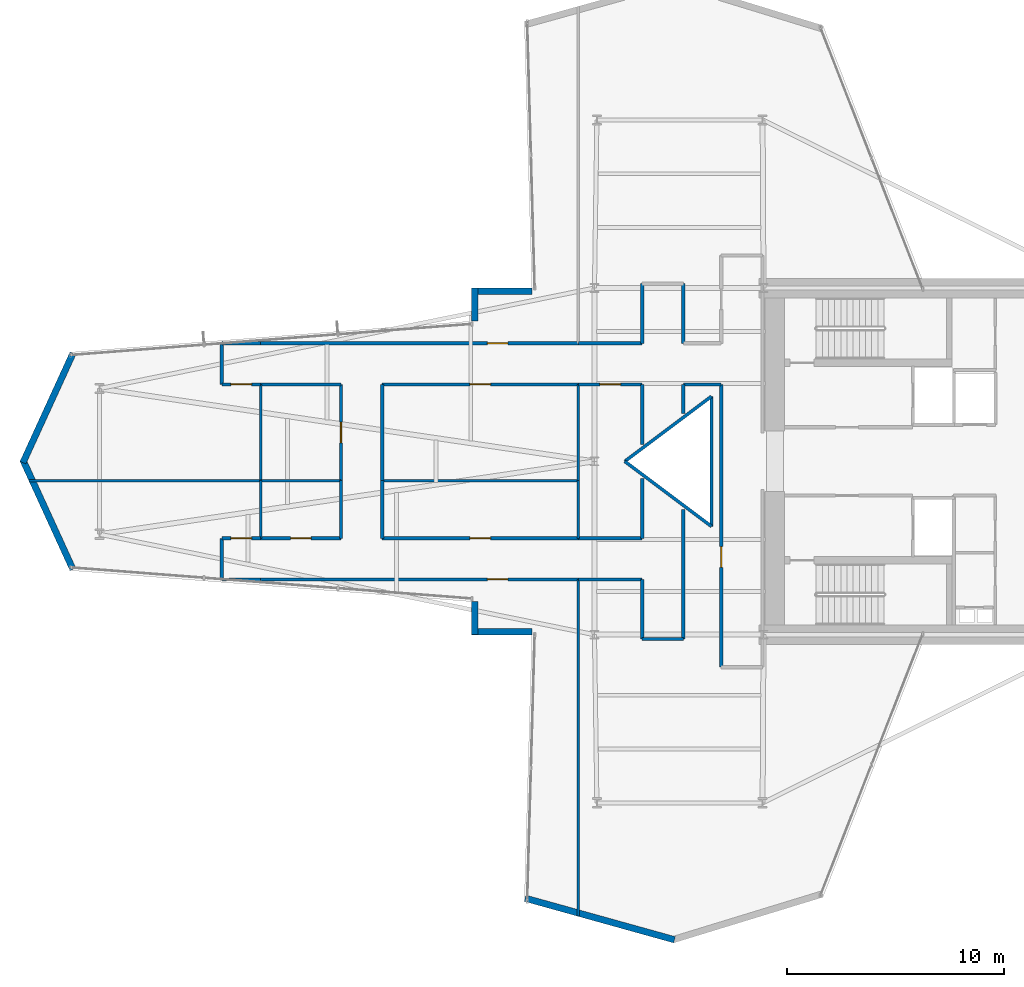
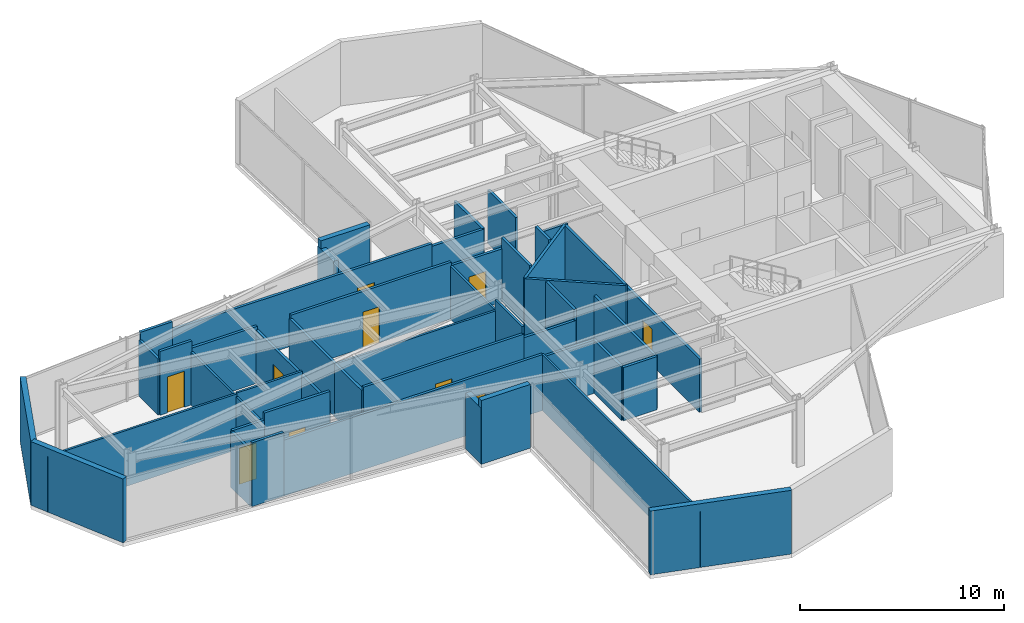
# One storey, part 27 of 30: 48 walls, 10 doors, 10 openings.
"""IFC4 building model written with IfcOpenShell, lengths in metres."""

from ifc_helpers import new_model, si_unit, direction, frame, frame_2d, origin, place, context, subcontext, project, spatial, rectangle, extrude, material, layer, layer_set, type_object, element, fill, save


model = new_model("IFC4")

# Units and contexts
model_context = context("Model", 3, precision=1e-05, world=origin(), true_north=direction((0.0, 1.0)))
body_context = subcontext(model_context, "Body", "Model", "MODEL_VIEW")
ifc_project = project(units=[si_unit("LENGTHUNIT", "METRE"), si_unit("AREAUNIT", "SQUARE_METRE"), si_unit("VOLUMEUNIT", "CUBIC_METRE"), si_unit("PLANEANGLEUNIT", "RADIAN"), si_unit("MASSUNIT", "GRAM", prefix="KILO")], contexts=[model_context])

# Site, building, storey
site_placement = place(None, origin())
site = spatial("IfcSite", under=ifc_project, at=site_placement, CompositionType="ELEMENT")
building_placement = place(site_placement, origin())
building = spatial("IfcBuilding", under=site, at=building_placement, Name="Veymaron Broadcast Tower", CompositionType="ELEMENT")
storey_placement = place(building_placement, frame((0.0, 0.0, 49.949951171875)))
storey = spatial("IfcBuildingStorey", under=building, at=storey_placement, Name="L10", CompositionType="ELEMENT", Elevation=49.949951171875)

# Walls
ifc_material_1 = material(Name="Precast concrete C40/50 with mineral-wool insulation", Category="concrete")
ifc_layer_1 = layer(ifc_material_1, 0.300048828125)
ifc_layer_set_1 = layer_set([ifc_layer_1], Name="Precast concrete C40/50 with mineral-wool insulation")
wall_type_1 = type_object("IfcWallType", Name="WALL-EXT-300", PredefinedType="STANDARD", material=ifc_layer_set_1)
wall_1_placement = place(storey_placement, frame((28.305419921875, 31.860107421875, 0.0), z_axis=(0.0, 0.0, 1.0), x_axis=(-1.0, 0.0, 0.0)))
element("IfcWall", 1, at=wall_1_placement, inside=storey, type_object=wall_type_1, Name="L10 notched corner facade pier 9-1", PredefinedType="STANDARD", context=body_context, shape_type="SweptSolid", body=[
    extrude(rectangle(XDim=2.77734375, YDim=0.300048828125, at=frame_2d((1.388671875, 0.0))), origin(), (0.0, 0.0, 1.0), 3.81005859375),
])
wall_2_placement = place(storey_placement, frame((25.66796875, 32.0, 0.0), z_axis=(0.0, 0.0, 1.0), x_axis=(0.0, -1.0, 0.0)))
element("IfcWall", 2, at=wall_2_placement, inside=storey, type_object=wall_type_1, Name="L10 notched corner facade pier 10-1", PredefinedType="STANDARD", context=body_context, shape_type="SweptSolid", body=[
    extrude(rectangle(XDim=1.52392578125, YDim=0.300048828125, at=frame_2d((0.761962890625, 0.0))), origin(), (0.0, 0.0, 1.0), 3.338134765625),
])
for number, where, z_axis, x_axis, name in (
    (3, (7.127197265625, 28.9814453125, 0.0), (0.0, 0.0, 1.0), (-0.415783708404, -0.909463527485, 0.0), "L10 notched corner facade pier 12-1"),
    (4, (4.8232421875, 24.05810546875, 0.0), (0.0, 0.0, 1.0), (0.415783708404, -0.909463527485, 0.0), "L10 notched corner facade pier 13-1"),
):
    element("IfcWall", number, at=place(storey_placement, frame(where, z_axis=z_axis, x_axis=x_axis)), inside=storey, type_object=wall_type_1, Name=name, PredefinedType="STANDARD", context=body_context, shape_type="SweptSolid", body=[
        extrude(rectangle(XDim=5.541259765625, YDim=0.300048828125, at=frame_2d((2.7705078125, 0.0))), origin(), (0.0, 0.0, 1.0), 3.81005859375),
    ])
wall_3_placement = place(storey_placement, frame((25.66796875, 17.52392578125, 0.0), z_axis=(0.0, 0.0, 1.0), x_axis=(0.0, -1.0, 0.0)))
element("IfcWall", 5, at=wall_3_placement, inside=storey, type_object=wall_type_1, Name="L10 notched corner facade pier 15-1", PredefinedType="STANDARD", context=body_context, shape_type="SweptSolid", body=[
    extrude(rectangle(XDim=1.52392578125, YDim=0.300048828125, at=frame_2d((0.761962890625, 0.0))), origin(), (0.0, 0.0, 1.0), 3.338134765625),
])
wall_4_placement = place(storey_placement, frame((25.528076171875, 16.139892578125, 0.0), z_axis=(0.0, 0.0, 1.0), x_axis=(1.0, 0.0, 0.0)))
element("IfcWall", 6, at=wall_4_placement, inside=storey, type_object=wall_type_1, Name="L10 notched corner facade pier 16-1", PredefinedType="STANDARD", context=body_context, shape_type="SweptSolid", body=[
    extrude(rectangle(XDim=2.77734375, YDim=0.300048828125, at=frame_2d((1.388671875, 0.0))), origin(), (0.0, 0.0, 1.0), 3.81005859375),
])
wall_5_placement = place(storey_placement, frame((27.9970703125, 3.8388671875, 0.0), z_axis=(0.0, 0.0, 1.0), x_axis=(0.963365312104, -0.268192608836, 0.0)))
element("IfcWall", 7, at=wall_5_placement, inside=storey, type_object=wall_type_1, Name="L10 notched corner facade pier 18-1", PredefinedType="STANDARD", context=body_context, shape_type="SweptSolid", body=[
    extrude(rectangle(XDim=7.15869140625, YDim=0.300048828125, at=frame_2d((3.579345703125, 0.0))), origin(), (0.0, 0.0, 1.0), 3.81005859375),
])

# Wall, opening, door
ifc_material_2 = material(Name="Gypsum fireboard and steel stud framing", Category="steel")
ifc_layer_2 = layer(ifc_material_2, 0.14990234375)
ifc_layer_set_2 = layer_set([ifc_layer_2], Name="Gypsum fireboard and steel stud framing")
wall_type_2 = type_object("IfcWallType", Name="WALL-FIRE-150", PredefinedType="PARTITIONING", material=ifc_layer_set_2)
wall_6_placement = place(storey_placement, frame((37.050048828125, 14.5, 0.0), z_axis=(0.0, 0.0, 1.0), x_axis=(0.0, 1.0, 0.0)))
wall_6 = element("IfcWall", 8, at=wall_6_placement, inside=storey, type_object=wall_type_2, Name="L10 partition IW-L10-P01", PredefinedType="PARTITIONING", context=body_context, shape_type="SweptSolid", body=[
    extrude(rectangle(XDim=13.050048828125, YDim=0.14990234375, at=frame_2d((6.52490234375, 0.0))), origin(), (0.0, 0.0, 1.0), 3.18115234375),
])
opening_1_placement = place(wall_6_placement, frame((4.610107421875, 0.0, 0.0)))
opening_1 = element("IfcOpeningElement", 9, at=opening_1_placement, cuts=wall_6, Name="Opening ID-RM1", PredefinedType="OPENING", context=body_context, shape_type="SweptSolid", body=[
    extrude(rectangle(XDim=0.949951171875, YDim=2.14990234375, at=frame_2d((0.47509765625, 1.074951171875))), frame((0.0, 0.0849609375, 0.0), z_axis=(0.0, -1.0, 0.0), x_axis=(1.0, 0.0, 0.0)), (0.0, 0.0, 1.0), 0.169921875),
])
ifc_material_3 = material(Name="Acoustic solid-core European oak veneer timber", Category="wood")
door_type = type_object("IfcDoorType", Name="DOOR-INT-950", OperationType="NOTDEFINED", PredefinedType="DOOR", material=ifc_material_3)
door_1_placement = place(opening_1_placement, frame((0.949951171875, 0.0, 0.0), z_axis=(0.0, 0.0, 1.0), x_axis=(-1.0, 0.0, 0.0)))
door_1 = element("IfcDoor", 10, at=door_1_placement, inside=storey, type_object=door_type, Name="L10 door DR-L10-P01", OperationType="SINGLE_SWING_RIGHT", OverallHeight=2.14990234375, OverallWidth=0.949951171875, PredefinedType="DOOR", context=body_context, shape_type="SweptSolid", body=[
    extrude(rectangle(XDim=0.949951171875, YDim=2.14990234375, at=frame_2d((0.47509765625, 1.074951171875))), frame((0.0, 0.02490234375, 0.0), z_axis=(0.0, -1.0, 0.0), x_axis=(1.0, 0.0, 0.0)), (0.0, 0.0, 1.0), 0.050048828125),
])
fill(opening_1, door_1)

wall_7_placement = place(storey_placement, frame((15.7939453125, 18.550048828125, 0.0), z_axis=(0.0, 0.0, 1.0), x_axis=(1.0, 0.0, 0.0)))
wall_7 = element("IfcWall", 11, at=wall_7_placement, inside=storey, type_object=wall_type_2, Name="L10 partition IW-L10-P10", PredefinedType="PARTITIONING", context=body_context, shape_type="SweptSolid", body=[
    extrude(rectangle(XDim=14.6650390625, YDim=0.14990234375, at=frame_2d((7.33251953125, 0.0))), origin(), (0.0, 0.0, 1.0), 3.338134765625),
])
opening_2_placement = place(wall_7_placement, frame((10.45751953125, 0.0, 0.0)))
opening_2 = element("IfcOpeningElement", 12, at=opening_2_placement, cuts=wall_7, Name="Opening ID-RM1", PredefinedType="OPENING", context=body_context, shape_type="SweptSolid", body=[
    extrude(rectangle(XDim=0.949951171875, YDim=2.14990234375, at=frame_2d((0.47509765625, 1.074951171875))), frame((0.0, 0.0849609375, 0.0), z_axis=(0.0, -1.0, 0.0), x_axis=(1.0, 0.0, 0.0)), (0.0, 0.0, 1.0), 0.169921875),
])
door_2_placement = place(opening_2_placement, frame((0.949951171875, 0.0, 0.0), z_axis=(0.0, 0.0, 1.0), x_axis=(-1.0, 0.0, 0.0)))
door_2 = element("IfcDoor", 13, at=door_2_placement, inside=storey, type_object=door_type, Name="L10 door DR-L10-P10", OperationType="SINGLE_SWING_LEFT", OverallHeight=2.14990234375, OverallWidth=0.949951171875, PredefinedType="DOOR", context=body_context, shape_type="SweptSolid", body=[
    extrude(rectangle(XDim=0.949951171875, YDim=2.14990234375, at=frame_2d((0.47509765625, 1.074951171875))), frame((0.0, 0.02490234375, 0.0), z_axis=(0.0, -1.0, 0.0), x_axis=(1.0, 0.0, 0.0)), (0.0, 0.0, 1.0), 0.050048828125),
])
fill(opening_2, door_2)

wall_8_placement = place(storey_placement, frame((14.0, 20.449951171875, 0.0), z_axis=(0.0, 0.0, 1.0), x_axis=(1.0, 0.0, 0.0)))
wall_8 = element("IfcWall", 14, at=wall_8_placement, inside=storey, type_object=wall_type_2, Name="L10 partition IW-L10-P13", PredefinedType="PARTITIONING", context=body_context, shape_type="SweptSolid", body=[
    extrude(rectangle(XDim=1.7939453125, YDim=0.14990234375, at=frame_2d((0.89697265625, 0.0))), origin(), (0.0, 0.0, 1.0), 3.39111328125),
])
opening_3_placement = place(wall_8_placement, frame((0.422119140625, 0.0, 0.0)))
opening_3 = element("IfcOpeningElement", 15, at=opening_3_placement, cuts=wall_8, Name="Opening ID-RM1", PredefinedType="OPENING", context=body_context, shape_type="SweptSolid", body=[
    extrude(rectangle(XDim=0.949951171875, YDim=2.14990234375, at=frame_2d((0.47509765625, 1.074951171875))), frame((0.0, 0.0849609375, 0.0), z_axis=(0.0, -1.0, 0.0), x_axis=(1.0, 0.0, 0.0)), (0.0, 0.0, 1.0), 0.169921875),
])
door_3_placement = place(opening_3_placement, origin())
door_3 = element("IfcDoor", 16, at=door_3_placement, inside=storey, type_object=door_type, Name="L10 door DR-L10-P13", OperationType="SINGLE_SWING_RIGHT", OverallHeight=2.14990234375, OverallWidth=0.949951171875, PredefinedType="DOOR", context=body_context, shape_type="SweptSolid", body=[
    extrude(rectangle(XDim=0.949951171875, YDim=2.14990234375, at=frame_2d((0.47509765625, 1.074951171875))), frame((0.0, 0.02490234375, 0.0), z_axis=(0.0, -1.0, 0.0), x_axis=(1.0, 0.0, 0.0)), (0.0, 0.0, 1.0), 0.050048828125),
])
fill(opening_3, door_3)

wall_9_placement = place(storey_placement, frame((15.7939453125, 20.449951171875, 0.0), z_axis=(0.0, 0.0, 1.0), x_axis=(1.0, 0.0, 0.0)))
wall_9 = element("IfcWall", 17, at=wall_9_placement, inside=storey, type_object=wall_type_2, Name="L10 partition IW-L10-P14", PredefinedType="PARTITIONING", context=body_context, shape_type="SweptSolid", body=[
    extrude(rectangle(XDim=3.7060546875, YDim=0.14990234375, at=frame_2d((1.85302734375, 0.0))), origin(), (0.0, 0.0, 1.0), 3.81005859375),
])
opening_4_placement = place(wall_9_placement, frame((1.3779296875, 0.0, 0.0)))
opening_4 = element("IfcOpeningElement", 18, at=opening_4_placement, cuts=wall_9, Name="Opening ID-RM1", PredefinedType="OPENING", context=body_context, shape_type="SweptSolid", body=[
    extrude(rectangle(XDim=0.949951171875, YDim=2.14990234375, at=frame_2d((0.47509765625, 1.074951171875))), frame((0.0, 0.0849609375, 0.0), z_axis=(0.0, -1.0, 0.0), x_axis=(1.0, 0.0, 0.0)), (0.0, 0.0, 1.0), 0.169921875),
])
door_4_placement = place(opening_4_placement, origin())
door_4 = element("IfcDoor", 19, at=door_4_placement, inside=storey, type_object=door_type, Name="L10 door DR-L10-P14", OperationType="SINGLE_SWING_LEFT", OverallHeight=2.14990234375, OverallWidth=0.949951171875, PredefinedType="DOOR", context=body_context, shape_type="SweptSolid", body=[
    extrude(rectangle(XDim=0.949951171875, YDim=2.14990234375, at=frame_2d((0.47509765625, 1.074951171875))), frame((0.0, 0.02490234375, 0.0), z_axis=(0.0, -1.0, 0.0), x_axis=(1.0, 0.0, 0.0)), (0.0, 0.0, 1.0), 0.050048828125),
])
fill(opening_4, door_4)

wall_10_placement = place(storey_placement, frame((21.39990234375, 20.449951171875, 0.0), z_axis=(0.0, 0.0, 1.0), x_axis=(1.0, 0.0, 0.0)))
wall_10 = element("IfcWall", 20, at=wall_10_placement, inside=storey, type_object=wall_type_2, Name="L10 partition IW-L10-P16", PredefinedType="PARTITIONING", context=body_context, shape_type="SweptSolid", body=[
    extrude(rectangle(XDim=9.05908203125, YDim=0.14990234375, at=frame_2d((4.529541015625, 0.0))), origin(), (0.0, 0.0, 1.0), 3.39111328125),
])
opening_5_placement = place(wall_10_placement, frame((4.054443359375, 0.0, 0.0)))
opening_5 = element("IfcOpeningElement", 21, at=opening_5_placement, cuts=wall_10, Name="Opening ID-RM1", PredefinedType="OPENING", context=body_context, shape_type="SweptSolid", body=[
    extrude(rectangle(XDim=0.949951171875, YDim=2.14990234375, at=frame_2d((0.47509765625, 1.074951171875))), frame((0.0, 0.0849609375, 0.0), z_axis=(0.0, -1.0, 0.0), x_axis=(1.0, 0.0, 0.0)), (0.0, 0.0, 1.0), 0.169921875),
])
door_5_placement = place(opening_5_placement, origin())
door_5 = element("IfcDoor", 22, at=door_5_placement, inside=storey, type_object=door_type, Name="L10 door DR-L10-P16", OperationType="SINGLE_SWING_LEFT", OverallHeight=2.14990234375, OverallWidth=0.949951171875, PredefinedType="DOOR", context=body_context, shape_type="SweptSolid", body=[
    extrude(rectangle(XDim=0.949951171875, YDim=2.14990234375, at=frame_2d((0.47509765625, 1.074951171875))), frame((0.0, 0.02490234375, 0.0), z_axis=(0.0, -1.0, 0.0), x_axis=(1.0, 0.0, 0.0)), (0.0, 0.0, 1.0), 0.050048828125),
])
fill(opening_5, door_5)

wall_11_placement = place(storey_placement, frame((30.458984375, 27.550048828125, 0.0), z_axis=(0.0, 0.0, 1.0), x_axis=(1.0, 0.0, 0.0)))
wall_11 = element("IfcWall", 23, at=wall_11_placement, inside=storey, type_object=wall_type_2, Name="L10 partition IW-L10-P18", PredefinedType="PARTITIONING", context=body_context, shape_type="SweptSolid", body=[
    extrude(rectangle(XDim=2.94091796875, YDim=0.14990234375, at=frame_2d((1.470458984375, 0.0))), origin(), (0.0, 0.0, 1.0), 3.18115234375),
])
opening_6_placement = place(wall_11_placement, frame((0.99560546875, 0.0, 0.0)))
opening_6 = element("IfcOpeningElement", 24, at=opening_6_placement, cuts=wall_11, Name="Opening ID-RM1", PredefinedType="OPENING", context=body_context, shape_type="SweptSolid", body=[
    extrude(rectangle(XDim=0.949951171875, YDim=2.14990234375, at=frame_2d((0.47509765625, 1.074951171875))), frame((0.0, 0.0849609375, 0.0), z_axis=(0.0, -1.0, 0.0), x_axis=(1.0, 0.0, 0.0)), (0.0, 0.0, 1.0), 0.169921875),
])
door_6_placement = place(opening_6_placement, frame((0.949951171875, 0.0, 0.0), z_axis=(0.0, 0.0, 1.0), x_axis=(-1.0, 0.0, 0.0)))
door_6 = element("IfcDoor", 25, at=door_6_placement, inside=storey, type_object=door_type, Name="L10 door DR-L10-P18", OperationType="SINGLE_SWING_LEFT", OverallHeight=2.14990234375, OverallWidth=0.949951171875, PredefinedType="DOOR", context=body_context, shape_type="SweptSolid", body=[
    extrude(rectangle(XDim=0.949951171875, YDim=2.14990234375, at=frame_2d((0.47509765625, 1.074951171875))), frame((0.0, 0.02490234375, 0.0), z_axis=(0.0, -1.0, 0.0), x_axis=(1.0, 0.0, 0.0)), (0.0, 0.0, 1.0), 0.050048828125),
])
fill(opening_6, door_6)

wall_12_placement = place(storey_placement, frame((19.5, 23.111083984375, 0.0), z_axis=(0.0, 0.0, 1.0), x_axis=(0.0, 1.0, 0.0)))
wall_12 = element("IfcWall", 26, at=wall_12_placement, inside=storey, type_object=wall_type_2, Name="L10 partition IW-L10-P22", PredefinedType="PARTITIONING", context=body_context, shape_type="SweptSolid", body=[
    extrude(rectangle(XDim=4.43896484375, YDim=0.14990234375, at=frame_2d((2.219482421875, 0.0))), origin(), (0.0, 0.0, 1.0), 3.18115234375),
])
opening_7_placement = place(wall_12_placement, frame((1.744384765625, 0.0, 0.0)))
opening_7 = element("IfcOpeningElement", 27, at=opening_7_placement, cuts=wall_12, Name="Opening ID-RM1", PredefinedType="OPENING", context=body_context, shape_type="SweptSolid", body=[
    extrude(rectangle(XDim=0.949951171875, YDim=2.14990234375, at=frame_2d((0.47509765625, 1.074951171875))), frame((0.0, 0.0849609375, 0.0), z_axis=(0.0, -1.0, 0.0), x_axis=(1.0, 0.0, 0.0)), (0.0, 0.0, 1.0), 0.169921875),
])
door_7_placement = place(opening_7_placement, origin())
door_7 = element("IfcDoor", 28, at=door_7_placement, inside=storey, type_object=door_type, Name="L10 door DR-L10-P22", OperationType="SINGLE_SWING_LEFT", OverallHeight=2.14990234375, OverallWidth=0.949951171875, PredefinedType="DOOR", context=body_context, shape_type="SweptSolid", body=[
    extrude(rectangle(XDim=0.949951171875, YDim=2.14990234375, at=frame_2d((0.47509765625, 1.074951171875))), frame((0.0, 0.02490234375, 0.0), z_axis=(0.0, -1.0, 0.0), x_axis=(1.0, 0.0, 0.0)), (0.0, 0.0, 1.0), 0.050048828125),
])
fill(opening_7, door_7)

wall_13_placement = place(storey_placement, frame((21.39990234375, 27.550048828125, 0.0), z_axis=(0.0, 0.0, 1.0), x_axis=(1.0, 0.0, 0.0)))
wall_13 = element("IfcWall", 29, at=wall_13_placement, inside=storey, type_object=wall_type_2, Name="L10 partition IW-L10-P24", PredefinedType="PARTITIONING", context=body_context, shape_type="SweptSolid", body=[
    extrude(rectangle(XDim=9.05908203125, YDim=0.14990234375, at=frame_2d((4.529541015625, 0.0))), origin(), (0.0, 0.0, 1.0), 3.39111328125),
])
opening_8_placement = place(wall_13_placement, frame((4.054443359375, 0.0, 0.0)))
opening_8 = element("IfcOpeningElement", 30, at=opening_8_placement, cuts=wall_13, Name="Opening ID-RM1", PredefinedType="OPENING", context=body_context, shape_type="SweptSolid", body=[
    extrude(rectangle(XDim=0.949951171875, YDim=2.14990234375, at=frame_2d((0.47509765625, 1.074951171875))), frame((0.0, 0.0849609375, 0.0), z_axis=(0.0, -1.0, 0.0), x_axis=(1.0, 0.0, 0.0)), (0.0, 0.0, 1.0), 0.169921875),
])
door_8_placement = place(opening_8_placement, frame((0.949951171875, 0.0, 0.0), z_axis=(0.0, 0.0, 1.0), x_axis=(-1.0, 0.0, 0.0)))
door_8 = element("IfcDoor", 31, at=door_8_placement, inside=storey, type_object=door_type, Name="L10 door DR-L10-P24", OperationType="SINGLE_SWING_LEFT", OverallHeight=2.14990234375, OverallWidth=0.949951171875, PredefinedType="DOOR", context=body_context, shape_type="SweptSolid", body=[
    extrude(rectangle(XDim=0.949951171875, YDim=2.14990234375, at=frame_2d((0.47509765625, 1.074951171875))), frame((0.0, 0.02490234375, 0.0), z_axis=(0.0, -1.0, 0.0), x_axis=(1.0, 0.0, 0.0)), (0.0, 0.0, 1.0), 0.050048828125),
])
fill(opening_8, door_8)

wall_14_placement = place(storey_placement, frame((14.0, 27.550048828125, 0.0), z_axis=(0.0, 0.0, 1.0), x_axis=(1.0, 0.0, 0.0)))
wall_14 = element("IfcWall", 32, at=wall_14_placement, inside=storey, type_object=wall_type_2, Name="L10 partition IW-L10-P27", PredefinedType="PARTITIONING", context=body_context, shape_type="SweptSolid", body=[
    extrude(rectangle(XDim=1.7939453125, YDim=0.14990234375, at=frame_2d((0.89697265625, 0.0))), origin(), (0.0, 0.0, 1.0), 3.81005859375),
])
opening_9_placement = place(wall_14_placement, frame((0.422119140625, 0.0, 0.0)))
opening_9 = element("IfcOpeningElement", 33, at=opening_9_placement, cuts=wall_14, Name="Opening ID-RM1", PredefinedType="OPENING", context=body_context, shape_type="SweptSolid", body=[
    extrude(rectangle(XDim=0.949951171875, YDim=2.14990234375, at=frame_2d((0.47509765625, 1.074951171875))), frame((0.0, 0.0849609375, 0.0), z_axis=(0.0, -1.0, 0.0), x_axis=(1.0, 0.0, 0.0)), (0.0, 0.0, 1.0), 0.169921875),
])
door_9_placement = place(opening_9_placement, frame((0.949951171875, 0.0, 0.0), z_axis=(0.0, 0.0, 1.0), x_axis=(-1.0, 0.0, 0.0)))
door_9 = element("IfcDoor", 34, at=door_9_placement, inside=storey, type_object=door_type, Name="L10 door DR-L10-P27", OperationType="SINGLE_SWING_RIGHT", OverallHeight=2.14990234375, OverallWidth=0.949951171875, PredefinedType="DOOR", context=body_context, shape_type="SweptSolid", body=[
    extrude(rectangle(XDim=0.949951171875, YDim=2.14990234375, at=frame_2d((0.47509765625, 1.074951171875))), frame((0.0, 0.02490234375, 0.0), z_axis=(0.0, -1.0, 0.0), x_axis=(1.0, 0.0, 0.0)), (0.0, 0.0, 1.0), 0.050048828125),
])
fill(opening_9, door_9)

wall_15_placement = place(storey_placement, frame((15.7939453125, 29.449951171875, 0.0), z_axis=(0.0, 0.0, 1.0), x_axis=(1.0, 0.0, 0.0)))
wall_15 = element("IfcWall", 35, at=wall_15_placement, inside=storey, type_object=wall_type_2, Name="L10 partition IW-L10-P29", PredefinedType="PARTITIONING", context=body_context, shape_type="SweptSolid", body=[
    extrude(rectangle(XDim=14.6650390625, YDim=0.14990234375, at=frame_2d((7.33251953125, 0.0))), origin(), (0.0, 0.0, 1.0), 3.338134765625),
])
opening_10_placement = place(wall_15_placement, frame((10.45751953125, 0.0, 0.0)))
opening_10 = element("IfcOpeningElement", 36, at=opening_10_placement, cuts=wall_15, Name="Opening ID-RM1", PredefinedType="OPENING", context=body_context, shape_type="SweptSolid", body=[
    extrude(rectangle(XDim=0.949951171875, YDim=2.14990234375, at=frame_2d((0.47509765625, 1.074951171875))), frame((0.0, 0.0849609375, 0.0), z_axis=(0.0, -1.0, 0.0), x_axis=(1.0, 0.0, 0.0)), (0.0, 0.0, 1.0), 0.169921875),
])
door_10_placement = place(opening_10_placement, origin())
door_10 = element("IfcDoor", 37, at=door_10_placement, inside=storey, type_object=door_type, Name="L10 door DR-L10-P29", OperationType="SINGLE_SWING_RIGHT", OverallHeight=2.14990234375, OverallWidth=0.949951171875, PredefinedType="DOOR", context=body_context, shape_type="SweptSolid", body=[
    extrude(rectangle(XDim=0.949951171875, YDim=2.14990234375, at=frame_2d((0.47509765625, 1.074951171875))), frame((0.0, 0.02490234375, 0.0), z_axis=(0.0, -1.0, 0.0), x_axis=(1.0, 0.0, 0.0)), (0.0, 0.0, 1.0), 0.050048828125),
])
fill(opening_10, door_10)

# Walls
wall_16_placement = place(storey_placement, frame((35.300048828125, 15.800048828125, 0.0), z_axis=(0.0, 0.0, 1.0), x_axis=(0.0, 1.0, 0.0)))
element("IfcWall", 38, at=wall_16_placement, inside=storey, type_object=wall_type_2, Name="L10 partition IW-L10-P03", PredefinedType="PARTITIONING", context=body_context, shape_type="SweptSolid", body=[
    extrude(rectangle(XDim=5.987548828125, YDim=0.14990234375, at=frame_2d((2.99365234375, 0.0))), origin(), (0.0, 0.0, 1.0), 3.18115234375),
])
wall_17_placement = place(storey_placement, frame((30.458984375, 18.550048828125, 0.0), z_axis=(0.0, 0.0, 1.0), x_axis=(1.0, 0.0, 0.0)))
element("IfcWall", 39, at=wall_17_placement, inside=storey, type_object=wall_type_2, Name="L10 partition IW-L10-P04", PredefinedType="PARTITIONING", context=body_context, shape_type="SweptSolid", body=[
    extrude(rectangle(XDim=2.94091796875, YDim=0.14990234375, at=frame_2d((1.470458984375, 0.0))), origin(), (0.0, 0.0, 1.0), 3.18115234375),
])
wall_18_placement = place(storey_placement, frame((33.39990234375, 15.800048828125, 0.0), z_axis=(0.0, 0.0, 1.0), x_axis=(0.0, 1.0, 0.0)))
element("IfcWall", 40, at=wall_18_placement, inside=storey, type_object=wall_type_2, Name="L10 partition IW-L10-P05", PredefinedType="PARTITIONING", context=body_context, shape_type="SweptSolid", body=[
    extrude(rectangle(XDim=2.75, YDim=0.14990234375, at=frame_2d((1.375, 0.0))), origin(), (0.0, 0.0, 1.0), 3.18115234375),
])
wall_19_placement = place(storey_placement, frame((33.39990234375, 15.800048828125, 0.0), z_axis=(0.0, 0.0, 1.0), x_axis=(1.0, 0.0, 0.0)))
element("IfcWall", 41, at=wall_19_placement, inside=storey, type_object=wall_type_2, Name="L10 partition IW-L10-P07", PredefinedType="PARTITIONING", context=body_context, shape_type="SweptSolid", body=[
    extrude(rectangle(XDim=1.900146484375, YDim=0.14990234375, at=frame_2d((0.9501953125, 0.0))), origin(), (0.0, 0.0, 1.0), 3.18115234375),
])
wall_20_placement = place(storey_placement, frame((35.300048828125, 27.550048828125, 0.0), z_axis=(0.0, 0.0, 1.0), x_axis=(1.0, 0.0, 0.0)))
element("IfcWall", 42, at=wall_20_placement, inside=storey, type_object=wall_type_2, Name="L10 partition IW-L10-P08", PredefinedType="PARTITIONING", context=body_context, shape_type="SweptSolid", body=[
    extrude(rectangle(XDim=1.75, YDim=0.14990234375, at=frame_2d((0.875, 0.0))), origin(), (0.0, 0.0, 1.0), 3.39111328125),
])
wall_21_placement = place(storey_placement, frame((35.300048828125, 26.21240234375, 0.0), z_axis=(0.0, 0.0, 1.0), x_axis=(0.0, 1.0, 0.0)))
element("IfcWall", 43, at=wall_21_placement, inside=storey, type_object=wall_type_2, Name="L10 partition IW-L10-P09", PredefinedType="PARTITIONING", context=body_context, shape_type="SweptSolid", body=[
    extrude(rectangle(XDim=1.337646484375, YDim=0.14990234375, at=frame_2d((0.6689453125, 0.0))), origin(), (0.0, 0.0, 1.0), 3.81005859375),
])
wall_22_placement = place(storey_placement, frame((14.0, 18.550048828125, 0.0), z_axis=(0.0, 0.0, 1.0), x_axis=(0.0, 1.0, 0.0)))
element("IfcWall", 44, at=wall_22_placement, inside=storey, type_object=wall_type_2, Name="L10 partition IW-L10-P11", PredefinedType="PARTITIONING", context=body_context, shape_type="SweptSolid", body=[
    extrude(rectangle(XDim=1.89990234375, YDim=0.14990234375, at=frame_2d((0.949951171875, 0.0))), origin(), (0.0, 0.0, 1.0), 3.338134765625),
])
wall_23_placement = place(storey_placement, frame((14.0, 18.550048828125, 0.0), z_axis=(0.0, 0.0, 1.0), x_axis=(1.0, 0.0, 0.0)))
element("IfcWall", 45, at=wall_23_placement, inside=storey, type_object=wall_type_2, Name="L10 partition IW-L10-P12", PredefinedType="PARTITIONING", context=body_context, shape_type="SweptSolid", body=[
    extrude(rectangle(XDim=1.7939453125, YDim=0.14990234375, at=frame_2d((0.89697265625, 0.0))), origin(), (0.0, 0.0, 1.0), 3.81005859375),
])
for number, where, z_axis, x_axis, name in (
    (46, (19.5, 20.449951171875, 0.0), (0.0, 0.0, 1.0), (0.0, 1.0, 0.0), "L10 partition IW-L10-P15"),
    (47, (21.39990234375, 20.449951171875, 0.0), (0.0, 0.0, 1.0), (0.0, 1.0, 0.0), "L10 partition IW-L10-P17"),
):
    element("IfcWall", number, at=place(storey_placement, frame(where, z_axis=z_axis, x_axis=x_axis)), inside=storey, type_object=wall_type_2, Name=name, PredefinedType="PARTITIONING", context=body_context, shape_type="SweptSolid", body=[
        extrude(rectangle(XDim=2.6611328125, YDim=0.14990234375, at=frame_2d((1.33056640625, 0.0))), origin(), (0.0, 0.0, 1.0), 3.18115234375),
    ])
wall_24_placement = place(storey_placement, frame((30.458984375, 20.449951171875, 0.0), z_axis=(0.0, 0.0, 1.0), x_axis=(1.0, 0.0, 0.0)))
element("IfcWall", 48, at=wall_24_placement, inside=storey, type_object=wall_type_2, Name="L10 partition IW-L10-P19", PredefinedType="PARTITIONING", context=body_context, shape_type="SweptSolid", body=[
    extrude(rectangle(XDim=2.94091796875, YDim=0.14990234375, at=frame_2d((1.470458984375, 0.0))), origin(), (0.0, 0.0, 1.0), 3.18115234375),
])
for number, where, z_axis, x_axis, name in (
    (49, (33.39990234375, 24.78759765625, 0.0), (0.0, 0.0, 1.0), (0.0, 1.0, 0.0), "L10 partition IW-L10-P20"),
    (50, (33.39990234375, 20.449951171875, 0.0), (0.0, 0.0, 1.0), (0.0, 1.0, 0.0), "L10 partition IW-L10-P21"),
):
    element("IfcWall", number, at=place(storey_placement, frame(where, z_axis=z_axis, x_axis=x_axis)), inside=storey, type_object=wall_type_2, Name=name, PredefinedType="PARTITIONING", context=body_context, shape_type="SweptSolid", body=[
        extrude(rectangle(XDim=2.762451171875, YDim=0.14990234375, at=frame_2d((1.38134765625, 0.0))), origin(), (0.0, 0.0, 1.0), 3.81005859375),
    ])
wall_25_placement = place(storey_placement, frame((15.7939453125, 27.550048828125, 0.0), z_axis=(0.0, 0.0, 1.0), x_axis=(1.0, 0.0, 0.0)))
element("IfcWall", 51, at=wall_25_placement, inside=storey, type_object=wall_type_2, Name="L10 partition IW-L10-P23", PredefinedType="PARTITIONING", context=body_context, shape_type="SweptSolid", body=[
    extrude(rectangle(XDim=3.7060546875, YDim=0.14990234375, at=frame_2d((1.85302734375, 0.0))), origin(), (0.0, 0.0, 1.0), 3.39111328125),
])
wall_26_placement = place(storey_placement, frame((21.39990234375, 23.111083984375, 0.0), z_axis=(0.0, 0.0, 1.0), x_axis=(0.0, 1.0, 0.0)))
element("IfcWall", 52, at=wall_26_placement, inside=storey, type_object=wall_type_2, Name="L10 partition IW-L10-P25", PredefinedType="PARTITIONING", context=body_context, shape_type="SweptSolid", body=[
    extrude(rectangle(XDim=4.43896484375, YDim=0.14990234375, at=frame_2d((2.219482421875, 0.0))), origin(), (0.0, 0.0, 1.0), 3.18115234375),
])
wall_27_placement = place(storey_placement, frame((14.0, 27.550048828125, 0.0), z_axis=(0.0, 0.0, 1.0), x_axis=(0.0, 1.0, 0.0)))
element("IfcWall", 53, at=wall_27_placement, inside=storey, type_object=wall_type_2, Name="L10 partition IW-L10-P26", PredefinedType="PARTITIONING", context=body_context, shape_type="SweptSolid", body=[
    extrude(rectangle(XDim=1.89990234375, YDim=0.14990234375, at=frame_2d((0.949951171875, 0.0))), origin(), (0.0, 0.0, 1.0), 3.338134765625),
])
wall_28_placement = place(storey_placement, frame((14.0, 29.449951171875, 0.0), z_axis=(0.0, 0.0, 1.0), x_axis=(1.0, 0.0, 0.0)))
element("IfcWall", 54, at=wall_28_placement, inside=storey, type_object=wall_type_2, Name="L10 partition IW-L10-P28", PredefinedType="PARTITIONING", context=body_context, shape_type="SweptSolid", body=[
    extrude(rectangle(XDim=1.7939453125, YDim=0.14990234375, at=frame_2d((0.89697265625, 0.0))), origin(), (0.0, 0.0, 1.0), 3.81005859375),
])
wall_29_placement = place(storey_placement, frame((30.458984375, 29.449951171875, 0.0), z_axis=(0.0, 0.0, 1.0), x_axis=(1.0, 0.0, 0.0)))
element("IfcWall", 55, at=wall_29_placement, inside=storey, type_object=wall_type_2, Name="L10 partition IW-L10-P32", PredefinedType="PARTITIONING", context=body_context, shape_type="SweptSolid", body=[
    extrude(rectangle(XDim=2.94091796875, YDim=0.14990234375, at=frame_2d((1.470458984375, 0.0))), origin(), (0.0, 0.0, 1.0), 3.18115234375),
])
for number, where, z_axis, x_axis, name in (
    (56, (33.39990234375, 29.449951171875, 0.0), (0.0, 0.0, 1.0), (0.0, 1.0, 0.0), "L10 partition IW-L10-P33"),
    (57, (35.300048828125, 29.449951171875, 0.0), (0.0, 0.0, 1.0), (0.0, 1.0, 0.0), "L10 partition IW-L10-P34"),
):
    element("IfcWall", number, at=place(storey_placement, frame(where, z_axis=z_axis, x_axis=x_axis)), inside=storey, type_object=wall_type_2, Name=name, PredefinedType="PARTITIONING", context=body_context, shape_type="SweptSolid", body=[
        extrude(rectangle(XDim=2.75, YDim=0.14990234375, at=frame_2d((1.375, 0.0))), origin(), (0.0, 0.0, 1.0), 3.18115234375),
    ])
ifc_material_4 = material(Name="Fire-rated laminated glass in aluminium frame", Category="aluminium")
ifc_layer_3 = layer(ifc_material_4, 0.14990234375)
ifc_layer_set_3 = layer_set([ifc_layer_3], Name="Fire-rated laminated glass in aluminium frame")
wall_type_3 = type_object("IfcWallType", Name="WALL-GLZ-150", PredefinedType="MOVABLE", material=ifc_layer_set_3)
wall_30_placement = place(storey_placement, frame((32.60009765625, 24.0, 0.0), z_axis=(0.0, 0.0, 1.0), x_axis=(0.8, -0.6, 0.0)))
element("IfcWall", 58, at=wall_30_placement, inside=storey, type_object=wall_type_3, Name="L10 partition IW-L10-ATR1", PredefinedType="MOVABLE", context=body_context, shape_type="SweptSolid", body=[
    extrude(rectangle(XDim=5.0, YDim=0.14990234375, at=frame_2d((2.5, 0.0))), origin(), (0.0, 0.0, 1.0), 3.81005859375),
])
wall_31_placement = place(storey_placement, frame((36.60009765625, 21.0, 0.0), z_axis=(0.0, 0.0, 1.0), x_axis=(0.0, 1.0, 0.0)))
element("IfcWall", 59, at=wall_31_placement, inside=storey, type_object=wall_type_3, Name="L10 partition IW-L10-ATR2", PredefinedType="MOVABLE", context=body_context, shape_type="SweptSolid", body=[
    extrude(rectangle(XDim=6.0, YDim=0.14990234375, at=frame_2d((3.0, 0.0))), origin(), (0.0, 0.0, 1.0), 3.81005859375),
])
wall_32_placement = place(storey_placement, frame((36.60009765625, 27.0, 0.0), z_axis=(0.0, 0.0, 1.0), x_axis=(-0.8, -0.6, 0.0)))
element("IfcWall", 60, at=wall_32_placement, inside=storey, type_object=wall_type_3, Name="L10 partition IW-L10-ATR3", PredefinedType="MOVABLE", context=body_context, shape_type="SweptSolid", body=[
    extrude(rectangle(XDim=5.0, YDim=0.14990234375, at=frame_2d((2.5, 0.0))), origin(), (0.0, 0.0, 1.0), 3.81005859375),
])
ifc_material_5 = material(Name="Acoustic gypsum board and galvanized stud", Category="gypsum")
ifc_layer_4 = layer(ifc_material_5, 0.1201171875)
ifc_layer_set_4 = layer_set([ifc_layer_4], Name="Acoustic gypsum board and galvanized stud")
wall_type_4 = type_object("IfcWallType", Name="WALL-PART-120", PredefinedType="PARTITIONING", material=ifc_layer_set_4)
wall_33_placement = place(storey_placement, frame((30.458984375, 3.00830078125, 0.0), z_axis=(0.0, 0.0, 1.0), x_axis=(0.0, 1.0, 0.0)))
element("IfcWall", 61, at=wall_33_placement, inside=storey, type_object=wall_type_4, Name="L10 partition IW-L10-P38", PredefinedType="PARTITIONING", context=body_context, shape_type="SweptSolid", body=[
    extrude(rectangle(XDim=15.541748046875, YDim=0.1201171875, at=frame_2d((7.77099609375, 0.0))), origin(), (0.0, 0.0, 1.0), 3.338134765625),
])
wall_34_placement = place(storey_placement, frame((15.7939453125, 20.449951171875, 0.0), z_axis=(0.0, 0.0, 1.0), x_axis=(0.0, 1.0, 0.0)))
element("IfcWall", 62, at=wall_34_placement, inside=storey, type_object=wall_type_4, Name="L10 partition IW-L10-P39", PredefinedType="PARTITIONING", context=body_context, shape_type="SweptSolid", body=[
    extrude(rectangle(XDim=2.6611328125, YDim=0.1201171875, at=frame_2d((1.33056640625, 0.0))), origin(), (0.0, 0.0, 1.0), 3.18115234375),
])
wall_35_placement = place(storey_placement, frame((5.102294921875, 23.111083984375, 0.0), z_axis=(0.0, 0.0, 1.0), x_axis=(1.0, 0.0, 0.0)))
element("IfcWall", 63, at=wall_35_placement, inside=storey, type_object=wall_type_4, Name="L10 partition IW-L10-P40", PredefinedType="PARTITIONING", context=body_context, shape_type="SweptSolid", body=[
    extrude(rectangle(XDim=10.691650390625, YDim=0.1201171875, at=frame_2d((5.345703125, 0.0))), origin(), (0.0, 0.0, 1.0), 3.338134765625),
])
wall_36_placement = place(storey_placement, frame((15.7939453125, 23.111083984375, 0.0), z_axis=(0.0, 0.0, 1.0), x_axis=(1.0, 0.0, 0.0)))
element("IfcWall", 64, at=wall_36_placement, inside=storey, type_object=wall_type_4, Name="L10 partition IW-L10-P41", PredefinedType="PARTITIONING", context=body_context, shape_type="SweptSolid", body=[
    extrude(rectangle(XDim=3.7060546875, YDim=0.1201171875, at=frame_2d((1.85302734375, 0.0))), origin(), (0.0, 0.0, 1.0), 3.39111328125),
])
wall_37_placement = place(storey_placement, frame((30.458984375, 20.449951171875, 0.0), z_axis=(0.0, 0.0, 1.0), x_axis=(0.0, 1.0, 0.0)))
element("IfcWall", 65, at=wall_37_placement, inside=storey, type_object=wall_type_4, Name="L10 partition IW-L10-P42", PredefinedType="PARTITIONING", context=body_context, shape_type="SweptSolid", body=[
    extrude(rectangle(XDim=2.6611328125, YDim=0.1201171875, at=frame_2d((1.33056640625, 0.0))), origin(), (0.0, 0.0, 1.0), 3.81005859375),
])
wall_38_placement = place(storey_placement, frame((21.39990234375, 23.111083984375, 0.0), z_axis=(0.0, 0.0, 1.0), x_axis=(1.0, 0.0, 0.0)))
element("IfcWall", 66, at=wall_38_placement, inside=storey, type_object=wall_type_4, Name="L10 partition IW-L10-P43", PredefinedType="PARTITIONING", context=body_context, shape_type="SweptSolid", body=[
    extrude(rectangle(XDim=9.05908203125, YDim=0.1201171875, at=frame_2d((4.529541015625, 0.0))), origin(), (0.0, 0.0, 1.0), 3.18115234375),
])
for number, where, z_axis, x_axis, name in (
    (67, (30.458984375, 23.111083984375, 0.0), (0.0, 0.0, 1.0), (0.0, 1.0, 0.0), "L10 partition IW-L10-P44"),
    (68, (15.7939453125, 23.111083984375, 0.0), (0.0, 0.0, 1.0), (0.0, 1.0, 0.0), "L10 partition IW-L10-P45"),
):
    element("IfcWall", number, at=place(storey_placement, frame(where, z_axis=z_axis, x_axis=x_axis)), inside=storey, type_object=wall_type_4, Name=name, PredefinedType="PARTITIONING", context=body_context, shape_type="SweptSolid", body=[
        extrude(rectangle(XDim=4.43896484375, YDim=0.1201171875, at=frame_2d((2.219482421875, 0.0))), origin(), (0.0, 0.0, 1.0), 3.18115234375),
    ])

save(model, "model.ifc")
